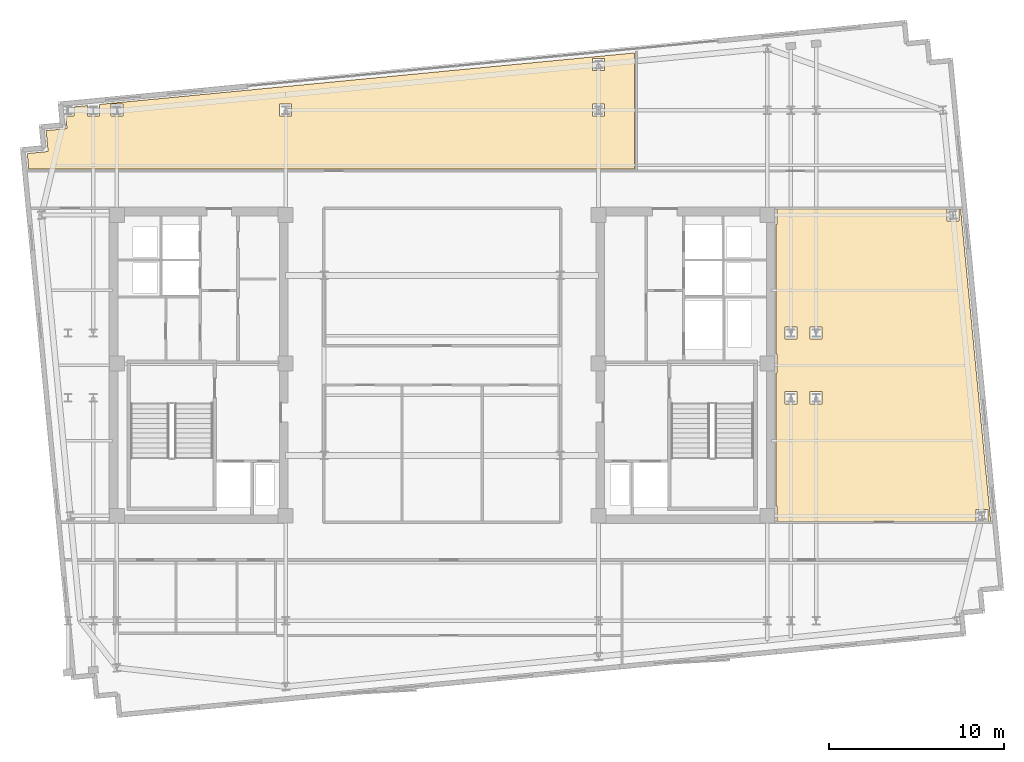
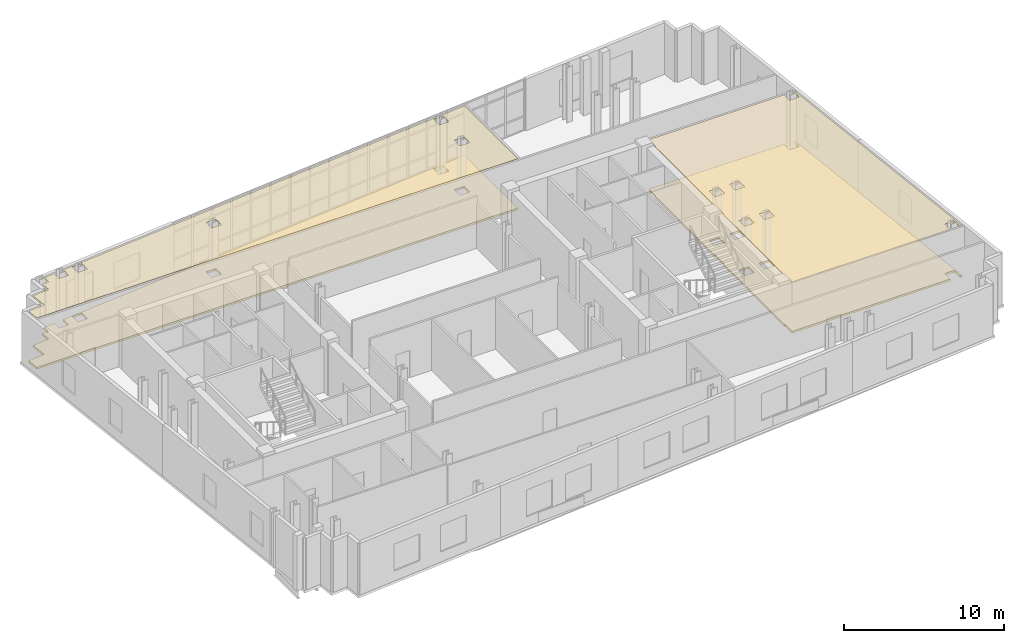
# One storey, part 11 of 11: 4 coverings.
"""IFC4 building model written with IfcOpenShell, lengths in metres."""

from ifc_helpers import new_model, si_unit, direction, frame, origin, place, context, subcontext, project, spatial, polyline, outline, extrude, material, layer, layer_set, type_object, element, save


model = new_model("IFC4")

# Units and contexts
model_context = context("Model", 3, precision=1e-05, world=origin(), true_north=direction((0.0, 1.0)))
body_context = subcontext(model_context, "Body", "Model", "MODEL_VIEW")
ifc_project = project(units=[si_unit("LENGTHUNIT", "METRE"), si_unit("AREAUNIT", "SQUARE_METRE"), si_unit("VOLUMEUNIT", "CUBIC_METRE"), si_unit("PLANEANGLEUNIT", "RADIAN"), si_unit("MASSUNIT", "GRAM", prefix="KILO")], contexts=[model_context])

# Site, building, storey
site_placement = place(None, origin())
site = spatial("IfcSite", under=ifc_project, at=site_placement, CompositionType="ELEMENT")
building_placement = place(site_placement, origin())
building = spatial("IfcBuilding", under=site, at=building_placement, Name="Velakula Bourse", CompositionType="ELEMENT")
storey_placement = place(building_placement, frame((0.0, 0.0, 282.75)))
storey = spatial("IfcBuildingStorey", under=building, at=storey_placement, Name="L77", CompositionType="ELEMENT", Elevation=282.75)

# Coverings
ifc_material_1 = material(Name="Mineral-fibre acoustic suspended ceiling tile", Category="mineral")
ifc_layer_1 = layer(ifc_material_1, 0.0400390625, Name="Mineral-fibre acoustic suspended ceiling tile", Category="mineral")
ifc_layer_set_1 = layer_set([ifc_layer_1], Name="Mineral-fibre acoustic suspended ceiling tile")
covering_type_1 = type_object("IfcCoveringType", Name="COV-CEIL-AC-40", PredefinedType="CEILING", material=ifc_layer_set_1)
covering_1_placement = place(storey_placement, frame((0.0, 0.0, 3.8798828125)))
element("IfcCovering", 1, at=covering_1_placement, inside=storey, type_object=covering_type_1, Name="L77 Breakout Dining Lounge Acoustic Suspended Ceiling", PredefinedType="CEILING", context=body_context, shape_type="SweptSolid", body=[
    extrude(outline(polyline([(19.090087890625, -0.445068359375), (19.14501953125, -0.445068359375), (19.14501953125, 0.64501953125), (19.090087890625, 0.64501953125), (19.090087890625, 8.054931640625), (19.14501953125, 8.054931640625), (19.14501953125, 8.93994140625), (28.877685546875, 8.93994140625), (28.877685546875, 8.2548828125), (29.567626953125, 8.2548828125), (29.567626953125, 8.93994140625), (29.662109375, 8.93994140625), (31.3837890625, -8.93994140625), (31.223876953125, -8.93994140625), (31.223876953125, -8.2548828125), (30.53369140625, -8.2548828125), (30.53369140625, -8.93994140625), (19.14501953125, -8.93994140625), (19.14501953125, -8.054931640625), (19.090087890625, -8.054931640625), (19.090087890625, -0.445068359375)]), holes=[polyline([(19.60498046875, -2.195068359375), (20.294921875, -2.195068359375), (20.294921875, -1.5048828125), (19.60498046875, -1.5048828125), (19.60498046875, -2.195068359375)]), polyline([(21.054931640625, -2.195068359375), (21.7451171875, -2.195068359375), (21.7451171875, -1.5048828125), (21.054931640625, -1.5048828125), (21.054931640625, -2.195068359375)]), polyline([(19.60498046875, 1.5048828125), (20.294921875, 1.5048828125), (20.294921875, 2.195068359375), (19.60498046875, 2.195068359375), (19.60498046875, 1.5048828125)]), polyline([(21.054931640625, 1.5048828125), (21.7451171875, 1.5048828125), (21.7451171875, 2.195068359375), (21.054931640625, 2.195068359375), (21.054931640625, 1.5048828125)])]), origin(), (0.0, 0.0, 1.0), 0.0400390625),
])
covering_2_placement = place(storey_placement, frame((0.0, 0.0, 3.8798828125)))
element("IfcCovering", 2, at=covering_2_placement, inside=storey, type_object=covering_type_1, Name="L77 Public Exchange Observation Deck Acoustic Suspended Ceiling", PredefinedType="CEILING", context=body_context, shape_type="SweptSolid", body=[
    extrude(outline(polyline([(-22.64892578125, 13.428466796875), (-21.45458984375, 13.543701171875), (-21.52294921875, 14.2548828125), (-21.054931640625, 14.2548828125), (-21.054931640625, 14.78759765625), (-20.294921875, 14.86083984375), (-20.294921875, 14.2548828125), (-19.60498046875, 14.2548828125), (-19.60498046875, 14.92724609375), (11.011962890625, 17.875244140625), (11.011962890625, 11.22998046875), (-23.642822265625, 11.22998046875), (-23.728515625, 12.118896484375), (-22.533935546875, 12.234130859375), (-22.64892578125, 13.428466796875)]), holes=[polyline([(-18.945068359375, 14.2548828125), (-18.2548828125, 14.2548828125), (-18.2548828125, 14.945068359375), (-18.945068359375, 14.945068359375), (-18.945068359375, 14.2548828125)]), polyline([(8.60498046875, 14.2548828125), (9.294921875, 14.2548828125), (9.294921875, 14.945068359375), (8.60498046875, 14.945068359375), (8.60498046875, 14.2548828125)]), polyline([(-8.60498046875, 14.2548828125), (-8.60498046875, 14.945068359375), (-9.294921875, 14.945068359375), (-9.294921875, 14.2548828125), (-8.60498046875, 14.2548828125)]), polyline([(8.60498046875, 16.859619140625), (9.294921875, 16.859619140625), (9.294921875, 17.549560546875), (8.60498046875, 17.549560546875), (8.60498046875, 16.859619140625)])]), origin(), (0.0, 0.0, 1.0), 0.0400390625),
])
ifc_material_2 = material(Name="Calcium-sulphate antistatic raised access flooring", Category="gypsum")
ifc_layer_2 = layer(ifc_material_2, 0.14990234375, Name="Calcium-sulphate antistatic raised access flooring", Category="gypsum")
ifc_layer_set_2 = layer_set([ifc_layer_2], Name="Calcium-sulphate antistatic raised access flooring")
covering_type_2 = type_object("IfcCoveringType", Name="COV-FLR-RAISED-150", PredefinedType="FLOORING", material=ifc_layer_set_2)
covering_3_placement = place(storey_placement, origin())
element("IfcCovering", 3, at=covering_3_placement, inside=storey, type_object=covering_type_2, Name="L77 Breakout Dining Lounge Raised Trading Access Floor", PredefinedType="FLOORING", context=body_context, shape_type="SweptSolid", body=[
    extrude(outline(polyline([(19.090087890625, -0.445068359375), (19.14501953125, -0.445068359375), (19.14501953125, 0.64501953125), (19.090087890625, 0.64501953125), (19.090087890625, 8.054931640625), (19.14501953125, 8.054931640625), (19.14501953125, 8.93994140625), (28.877685546875, 8.93994140625), (28.877685546875, 8.2548828125), (29.567626953125, 8.2548828125), (29.567626953125, 8.93994140625), (29.662109375, 8.93994140625), (31.3837890625, -8.93994140625), (31.223876953125, -8.93994140625), (31.223876953125, -8.2548828125), (30.53369140625, -8.2548828125), (30.53369140625, -8.93994140625), (19.14501953125, -8.93994140625), (19.14501953125, -8.054931640625), (19.090087890625, -8.054931640625), (19.090087890625, -0.445068359375)]), holes=[polyline([(19.60498046875, -2.195068359375), (20.294921875, -2.195068359375), (20.294921875, -1.5048828125), (19.60498046875, -1.5048828125), (19.60498046875, -2.195068359375)]), polyline([(21.054931640625, -2.195068359375), (21.7451171875, -2.195068359375), (21.7451171875, -1.5048828125), (21.054931640625, -1.5048828125), (21.054931640625, -2.195068359375)]), polyline([(19.60498046875, 1.5048828125), (20.294921875, 1.5048828125), (20.294921875, 2.195068359375), (19.60498046875, 2.195068359375), (19.60498046875, 1.5048828125)]), polyline([(21.054931640625, 1.5048828125), (21.7451171875, 1.5048828125), (21.7451171875, 2.195068359375), (21.054931640625, 2.195068359375), (21.054931640625, 1.5048828125)])]), origin(), (0.0, 0.0, 1.0), 0.14990234375),
])
covering_4_placement = place(storey_placement, origin())
element("IfcCovering", 4, at=covering_4_placement, inside=storey, type_object=covering_type_2, Name="L77 Public Exchange Observation Deck Raised Trading Access Floor", PredefinedType="FLOORING", context=body_context, shape_type="SweptSolid", body=[
    extrude(outline(polyline([(-22.64892578125, 13.428466796875), (-21.45458984375, 13.543701171875), (-21.52294921875, 14.2548828125), (-21.054931640625, 14.2548828125), (-21.054931640625, 14.78759765625), (-20.294921875, 14.86083984375), (-20.294921875, 14.2548828125), (-19.60498046875, 14.2548828125), (-19.60498046875, 14.92724609375), (11.011962890625, 17.875244140625), (11.011962890625, 11.22998046875), (-23.642822265625, 11.22998046875), (-23.728515625, 12.118896484375), (-22.533935546875, 12.234130859375), (-22.64892578125, 13.428466796875)]), holes=[polyline([(-18.945068359375, 14.2548828125), (-18.2548828125, 14.2548828125), (-18.2548828125, 14.945068359375), (-18.945068359375, 14.945068359375), (-18.945068359375, 14.2548828125)]), polyline([(8.60498046875, 14.2548828125), (9.294921875, 14.2548828125), (9.294921875, 14.945068359375), (8.60498046875, 14.945068359375), (8.60498046875, 14.2548828125)]), polyline([(-8.60498046875, 14.2548828125), (-8.60498046875, 14.945068359375), (-9.294921875, 14.945068359375), (-9.294921875, 14.2548828125), (-8.60498046875, 14.2548828125)]), polyline([(8.60498046875, 16.859619140625), (9.294921875, 16.859619140625), (9.294921875, 17.549560546875), (8.60498046875, 17.549560546875), (8.60498046875, 16.859619140625)])]), origin(), (0.0, 0.0, 1.0), 0.14990234375),
])

save(model, "model.ifc")
